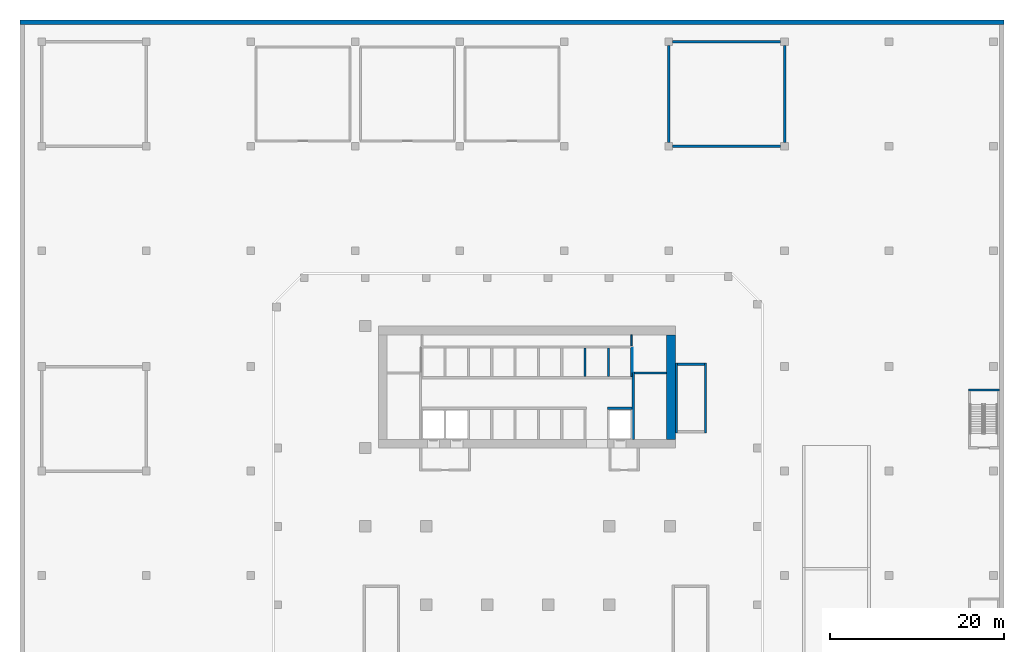
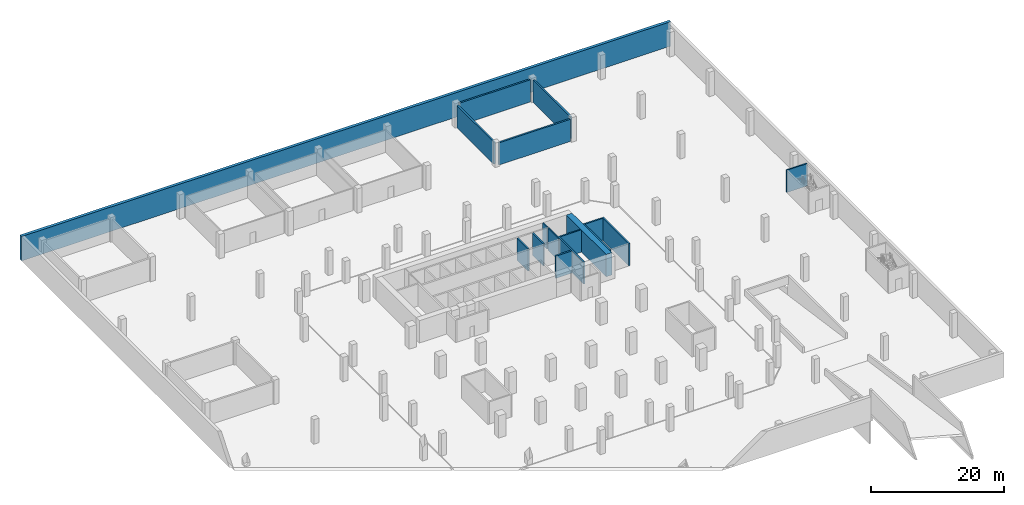
# One storey, part 9 of 11: 18 walls.
"""IFC4 building model written with IfcOpenShell, lengths in metres."""

from ifc_helpers import new_model, si_unit, direction, frame, frame_2d, origin, place, context, subcontext, project, spatial, rectangle, extrude, source, transform, mapped, material, layer, layer_set, type_object, element, save


model = new_model("IFC4")

# Units and contexts
model_context = context("Model", 3, precision=1e-05, world=origin(), true_north=direction((0.0, 1.0)))
body_context = subcontext(model_context, "Body", "Model", "MODEL_VIEW")
ifc_project = project(units=[si_unit("LENGTHUNIT", "METRE"), si_unit("AREAUNIT", "SQUARE_METRE"), si_unit("VOLUMEUNIT", "CUBIC_METRE"), si_unit("PLANEANGLEUNIT", "RADIAN"), si_unit("MASSUNIT", "GRAM", prefix="KILO")], contexts=[model_context])

# Site, building, storey
site_placement = place(None, origin())
site = spatial("IfcSite", under=ifc_project, at=site_placement, CompositionType="ELEMENT")
building_placement = place(site_placement, origin())
building = spatial("IfcBuilding", under=site, at=building_placement, Name="Kilnfold Tower and Market Hall", CompositionType="ELEMENT")
storey_placement = place(building_placement, frame((0.0, 0.0, -4.5)))
storey = spatial("IfcBuildingStorey", under=building, at=storey_placement, Name="B1", CompositionType="ELEMENT", Elevation=-4.5)

# Walls
ifc_material_1 = material(Name="Concrete C80", Category="concrete")
ifc_layer_1 = layer(ifc_material_1, 1.0)
ifc_layer_set_1 = layer_set([ifc_layer_1], Name="Concrete C80")
wall_type_1 = type_object("IfcWallType", Name="CORE WALL 1000 C80", PredefinedType="SHEAR", material=ifc_layer_set_1)
shared_shape_1 = source(origin(), body_context, "Body", "SweptSolid", [
    extrude(rectangle(XDim=12.0, YDim=1.0, at=frame_2d((6.0, 0.0))), origin(), (0.0, 0.0, 1.0), 4.090087890625),
])
wall_1_placement = place(storey_placement, frame((17.60009765625, 9.0, 0.0), z_axis=(0.0, 0.0, 1.0), x_axis=(0.0, 1.0, 0.0)))
element("IfcWall", 1, at=wall_1_placement, inside=storey, type_object=wall_type_1, Name="Core outer wall east", PredefinedType="SHEAR", context=body_context, shape_type="MappedRepresentation", body=[
    mapped(shared_shape_1, transform((0.0, 0.0, 0.0))),
])
ifc_material_2 = material(Name="Concrete C80", Category="concrete")
ifc_layer_2 = layer(ifc_material_2, 0.25)
ifc_layer_set_2 = layer_set([ifc_layer_2], Name="Concrete C80")
wall_type_2 = type_object("IfcWallType", Name="CORE WALL 250 C80", PredefinedType="SHEAR", material=ifc_layer_set_2)
shared_shape_2 = source(origin(), body_context, "Body", "SweptSolid", [
    extrude(rectangle(XDim=7.75, YDim=0.25, at=frame_2d((3.875, 0.0))), origin(), (0.0, 0.0, 1.0), 4.090087890625),
])
wall_2_placement = place(storey_placement, frame((13.27490234375, 9.0, 0.0), z_axis=(0.0, 0.0, 1.0), x_axis=(0.0, 1.0, 0.0)))
element("IfcWall", 2, at=wall_2_placement, inside=storey, type_object=wall_type_2, Name="Stair enclosure ST2", PredefinedType="SHEAR", context=body_context, shape_type="MappedRepresentation", body=[
    mapped(shared_shape_2, transform((0.0, 0.0, 0.0))),
])
shared_shape_3 = source(origin(), body_context, "Body", "SweptSolid", [
    extrude(rectangle(XDim=3.7001953125, YDim=0.25, at=frame_2d((1.85009765625, 0.0))), origin(), (0.0, 0.0, 1.0), 4.090087890625),
])
wall_3_placement = place(storey_placement, frame((13.39990234375, 16.625, 0.0), z_axis=(0.0, 0.0, 1.0), x_axis=(1.0, 0.0, 0.0)))
element("IfcWall", 3, at=wall_3_placement, inside=storey, type_object=wall_type_2, Name="Stair enclosure ST2", PredefinedType="SHEAR", context=body_context, shape_type="MappedRepresentation", body=[
    mapped(shared_shape_3, transform((0.0, 0.0, 0.0))),
])
shared_shape_4 = source(origin(), body_context, "Body", "SweptSolid", [
    extrude(rectangle(XDim=8.0, YDim=0.25, at=frame_2d((4.0, 0.0))), origin(), (0.0, 0.0, 1.0), 4.090087890625),
])
for number, where, z_axis, x_axis, name in (
    (4, (18.22509765625, 9.75, 0.0), (0.0, 0.0, 1.0), (0.0, 1.0, 0.0), "Stair enclosure ST5"),
    (5, (21.574951171875, 9.75, 0.0), (0.0, 0.0, 1.0), (0.0, 1.0, 0.0), "Stair enclosure ST5"),
):
    element("IfcWall", number, at=place(storey_placement, frame(where, z_axis=z_axis, x_axis=x_axis)), inside=storey, type_object=wall_type_2, Name=name, PredefinedType="SHEAR", context=body_context, shape_type="MappedRepresentation", body=[
        mapped(shared_shape_4, transform((0.0, 0.0, 0.0))),
    ])
shared_shape_5 = source(origin(), body_context, "Body", "SweptSolid", [
    extrude(rectangle(XDim=3.099853515625, YDim=0.25, at=frame_2d((1.5498046875, 0.0))), origin(), (0.0, 0.0, 1.0), 4.090087890625),
])
wall_4_placement = place(storey_placement, frame((18.35009765625, 17.625, 0.0), z_axis=(0.0, 0.0, 1.0), x_axis=(1.0, 0.0, 0.0)))
element("IfcWall", 6, at=wall_4_placement, inside=storey, type_object=wall_type_2, Name="Stair enclosure ST5", PredefinedType="SHEAR", context=body_context, shape_type="MappedRepresentation", body=[
    mapped(shared_shape_5, transform((0.0, 0.0, 0.0))),
])
ifc_material_3 = material(Name="Concrete C80", Category="concrete")
ifc_layer_3 = layer(ifc_material_3, 0.300048828125)
ifc_layer_set_3 = layer_set([ifc_layer_3], Name="Concrete C80")
wall_type_3 = type_object("IfcWallType", Name="CORE WALL 300 C80", PredefinedType="SHEAR", material=ifc_layer_set_3)
shared_shape_6 = source(origin(), body_context, "Body", "SweptSolid", [
    extrude(rectangle(XDim=2.820068359375, YDim=0.300048828125, at=frame_2d((1.41015625, 0.0))), origin(), (0.0, 0.0, 1.0), 4.090087890625),
])
wall_5_placement = place(storey_placement, frame((10.2900390625, 12.550048828125, 0.0), z_axis=(0.0, 0.0, 1.0), x_axis=(1.0, 0.0, 0.0)))
element("IfcWall", 7, at=wall_5_placement, inside=storey, type_object=wall_type_3, Name="Core spine wall", PredefinedType="SHEAR", context=body_context, shape_type="MappedRepresentation", body=[
    mapped(shared_shape_6, transform((0.0, 0.0, 0.0))),
])
ifc_material_4 = material(Name="Concrete C50/60", Category="concrete")
ifc_layer_4 = layer(ifc_material_4, 0.300048828125)
ifc_layer_set_4 = layer_set([ifc_layer_4], Name="Concrete C50/60")
wall_type_4 = type_object("IfcWallType", Name="HALL CORE WALL 300", PredefinedType="SHEAR", material=ifc_layer_set_4)
shared_shape_7 = source(origin(), body_context, "Body", "SweptSolid", [
    extrude(rectangle(XDim=11.099853515625, YDim=0.300048828125, at=frame_2d((5.5498046875, 0.0))), origin(), (0.0, 0.0, 1.0), 4.090087890625),
])
for number, where, z_axis, x_axis, name in (
    (8, (30.64990234375, 54.199951171875, 0.0), (0.0, 0.0, 1.0), (0.0, -1.0, 0.0), "Core wall MH3"),
    (9, (17.35009765625, 54.199951171875, 0.0), (0.0, 0.0, 1.0), (0.0, -1.0, 0.0), "Core wall MH3"),
):
    element("IfcWall", number, at=place(storey_placement, frame(where, z_axis=z_axis, x_axis=x_axis)), inside=storey, type_object=wall_type_4, Name=name, PredefinedType="SHEAR", context=body_context, shape_type="MappedRepresentation", body=[
        mapped(shared_shape_7, transform((0.0, 0.0, 0.0))),
    ])
shared_shape_8 = source(origin(), body_context, "Body", "SweptSolid", [
    extrude(rectangle(XDim=12.39990234375, YDim=0.300048828125, at=frame_2d((6.199951171875, 0.0))), origin(), (0.0, 0.0, 1.0), 4.090087890625),
])
for number, where, z_axis, x_axis, name in (
    (10, (30.199951171875, 54.64990234375, 0.0), (0.0, 0.0, 1.0), (-1.0, 0.0, 0.0), "Core wall MH3"),
    (11, (30.199951171875, 42.64990234375, 0.0), (0.0, 0.0, 1.0), (-1.0, 0.0, 0.0), "Core wall MH3"),
):
    element("IfcWall", number, at=place(storey_placement, frame(where, z_axis=z_axis, x_axis=x_axis)), inside=storey, type_object=wall_type_4, Name=name, PredefinedType="SHEAR", context=body_context, shape_type="MappedRepresentation", body=[
        mapped(shared_shape_8, transform((0.0, 0.0, 0.0))),
    ])
ifc_material_5 = material(Name="Concrete C40/50", Category="concrete")
ifc_layer_5 = layer(ifc_material_5, 0.5)
ifc_layer_set_5 = layer_set([ifc_layer_5], Name="Concrete C40/50")
wall_type_5 = type_object("IfcWallType", Name="BASEMENT RETAINING WALL 500", PredefinedType="SOLIDWALL", material=ifc_layer_set_5)
shared_shape_9 = source(origin(), body_context, "Body", "SweptSolid", [
    extrude(rectangle(XDim=113.0, YDim=0.5, at=frame_2d((56.5, 0.0))), origin(), (0.0, 0.0, 1.0), 4.5),
])
wall_6_placement = place(storey_placement, frame((-57.14990234375, 56.89990234375, 0.0), z_axis=(0.0, 0.0, 1.0), x_axis=(1.0, 0.0, 0.0)))
element("IfcWall", 12, at=wall_6_placement, inside=storey, type_object=wall_type_5, Name="Retaining wall B1 north", PredefinedType="SOLIDWALL", context=body_context, shape_type="MappedRepresentation", body=[
    mapped(shared_shape_9, transform((0.0, 0.0, 0.0))),
])
ifc_material_6 = material(Name="Gypsum shaft wall system")
ifc_layer_6 = layer(ifc_material_6, 0.1650390625)
ifc_layer_set_6 = layer_set([ifc_layer_6], Name="Gypsum shaft wall system")
wall_type_6 = type_object("IfcWallType", Name="SHAFT WALL 165", PredefinedType="PARTITIONING", material=ifc_layer_set_6)
shared_shape_10 = source(origin(), body_context, "Body", "SweptSolid", [
    extrude(rectangle(XDim=3.275146484375, YDim=0.1650390625, at=frame_2d((1.6376953125, 0.0))), origin(), (0.0, 0.0, 1.0), 4.090087890625),
])
wall_7_placement = place(storey_placement, frame((13.0673828125, 16.199951171875, 0.0), z_axis=(0.0, 0.0, 1.0), x_axis=(0.0, 1.0, 0.0)))
element("IfcWall", 13, at=wall_7_placement, inside=storey, type_object=wall_type_6, Name="Lift shaft wall", PredefinedType="PARTITIONING", context=body_context, shape_type="MappedRepresentation", body=[
    mapped(shared_shape_10, transform((0.0, 0.0, 0.0))),
])
shared_shape_11 = source(origin(), body_context, "Body", "SweptSolid", [
    extrude(rectangle(XDim=1.27490234375, YDim=0.1650390625, at=frame_2d((0.637451171875, 0.0))), origin(), (0.0, 0.0, 1.0), 4.090087890625),
])
wall_8_placement = place(storey_placement, frame((13.0673828125, 19.72509765625, 0.0), z_axis=(0.0, 0.0, 1.0), x_axis=(0.0, 1.0, 0.0)))
element("IfcWall", 14, at=wall_8_placement, inside=storey, type_object=wall_type_6, Name="Lift shaft wall", PredefinedType="PARTITIONING", context=body_context, shape_type="MappedRepresentation", body=[
    mapped(shared_shape_11, transform((0.0, 0.0, 0.0))),
])
ifc_material_7 = material(Name="Gypsum shaft wall system")
ifc_layer_7 = layer(ifc_material_7, 0.25)
ifc_layer_set_7 = layer_set([ifc_layer_7], Name="Gypsum shaft wall system")
wall_type_7 = type_object("IfcWallType", Name="SHAFT WALL 250", PredefinedType="PARTITIONING", material=ifc_layer_set_7)
shared_shape_12 = source(origin(), body_context, "Body", "SweptSolid", [
    extrude(rectangle(XDim=3.275146484375, YDim=0.25, at=frame_2d((1.6376953125, 0.0))), origin(), (0.0, 0.0, 1.0), 4.090087890625),
])
for number, where, z_axis, x_axis, name in (
    (15, (10.429931640625, 16.199951171875, 0.0), (0.0, 0.0, 1.0), (0.0, 1.0, 0.0), "Lift shaft wall"),
    (16, (7.75, 16.199951171875, 0.0), (0.0, 0.0, 1.0), (0.0, 1.0, 0.0), "Lift shaft wall"),
):
    element("IfcWall", number, at=place(storey_placement, frame(where, z_axis=z_axis, x_axis=x_axis)), inside=storey, type_object=wall_type_7, Name=name, PredefinedType="PARTITIONING", context=body_context, shape_type="MappedRepresentation", body=[
        mapped(shared_shape_12, transform((0.0, 0.0, 0.0))),
    ])
ifc_material_8 = material(Name="Gypsum shaft wall system")
ifc_layer_8 = layer(ifc_material_8, 0.0849609375)
ifc_layer_set_8 = layer_set([ifc_layer_8], Name="Gypsum shaft wall system")
wall_type_8 = type_object("IfcWallType", Name="SHAFT WALL 85", PredefinedType="PARTITIONING", material=ifc_layer_set_8)
shared_shape_13 = source(origin(), body_context, "Body", "SweptSolid", [
    extrude(rectangle(XDim=2.72509765625, YDim=0.0849609375, at=frame_2d((1.362548828125, 0.0))), origin(), (0.0, 0.0, 1.0), 4.090087890625),
])
wall_9_placement = place(storey_placement, frame((13.1923828125, 16.75, 0.0), z_axis=(0.0, 0.0, 1.0), x_axis=(0.0, 1.0, 0.0)))
element("IfcWall", 17, at=wall_9_placement, inside=storey, type_object=wall_type_8, Name="Lift shaft wall", PredefinedType="PARTITIONING", context=body_context, shape_type="MappedRepresentation", body=[
    mapped(shared_shape_13, transform((0.0, 0.0, 0.0))),
])
ifc_material_9 = material(Name="Concrete C50/60", Category="concrete")
ifc_layer_9 = layer(ifc_material_9, 0.25)
ifc_layer_set_9 = layer_set([ifc_layer_9], Name="Concrete C50/60")
wall_type_9 = type_object("IfcWallType", Name="CAR PARK STAIR WALL 250", PredefinedType="SHEAR", material=ifc_layer_set_9)
shared_shape_14 = source(origin(), body_context, "Body", "SweptSolid", [
    extrude(rectangle(XDim=3.60009765625, YDim=0.25, at=frame_2d((1.800048828125, 0.0))), origin(), (0.0, 0.0, 1.0), 4.090087890625),
])
wall_10_placement = place(storey_placement, frame((51.75, 14.675048828125, 0.0), z_axis=(0.0, 0.0, 1.0), x_axis=(1.0, 0.0, 0.0)))
element("IfcWall", 18, at=wall_10_placement, inside=storey, type_object=wall_type_9, Name="Stair CS4 wall north", PredefinedType="SHEAR", context=body_context, shape_type="MappedRepresentation", body=[
    mapped(shared_shape_14, transform((0.0, 0.0, 0.0))),
])

save(model, "model.ifc")
